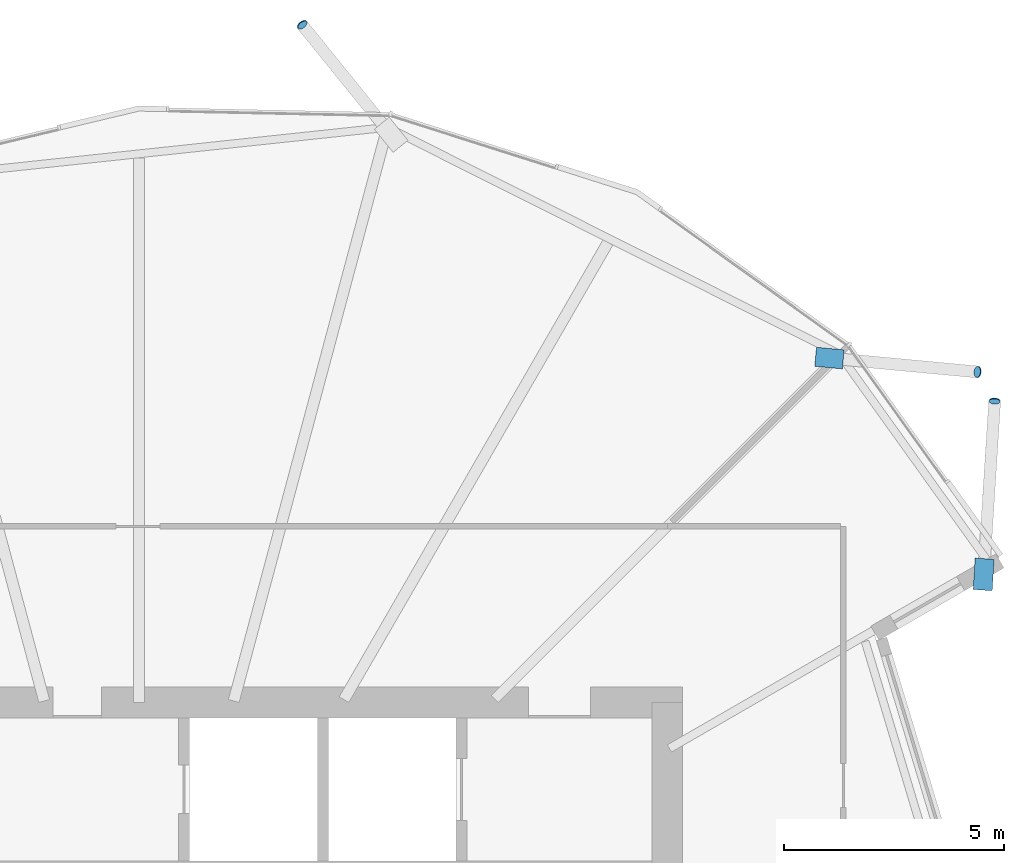
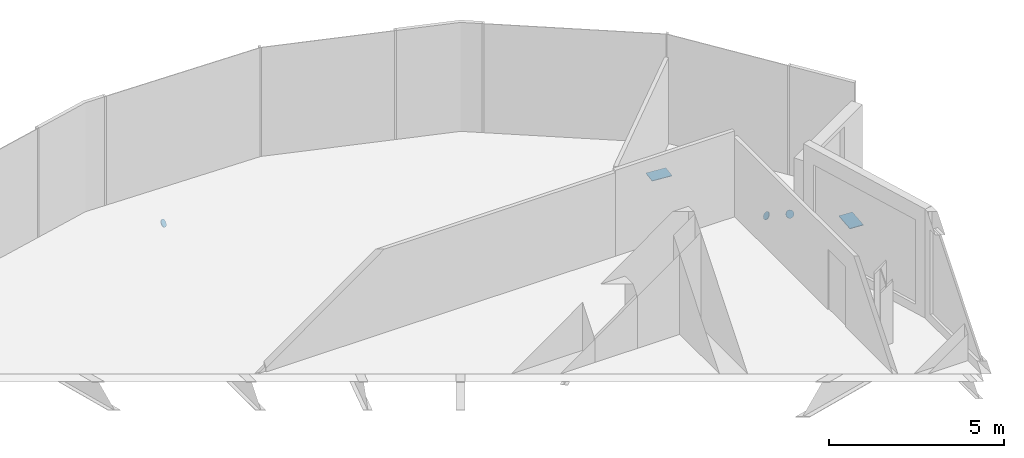
# One storey, part 35 of 39: 5 discrete accessories.
"""IFC4 building model written with IfcOpenShell, lengths in metres."""

from ifc_helpers import new_model, si_unit, direction, frame, origin, origin_2d, place, context, subcontext, project, spatial, polyline, rectangle, circle, outline, extrude, material, material_profile, profile_set, type_object, element, save


model = new_model("IFC4")

# Units and contexts
model_context = context("Model", 3, precision=1e-05, world=origin(), true_north=direction((0.0, 1.0)))
body_context = subcontext(model_context, "Body", "Model", "MODEL_VIEW")
ifc_project = project(units=[si_unit("LENGTHUNIT", "METRE"), si_unit("AREAUNIT", "SQUARE_METRE"), si_unit("VOLUMEUNIT", "CUBIC_METRE"), si_unit("PLANEANGLEUNIT", "RADIAN"), si_unit("MASSUNIT", "GRAM", prefix="KILO")], contexts=[model_context])

# Site, building, storey
site_placement = place(None, origin())
site = spatial("IfcSite", under=ifc_project, at=site_placement, CompositionType="ELEMENT")
building_placement = place(site_placement, origin())
building = spatial("IfcBuilding", under=site, at=building_placement, Name="Rimbun Link Towers", CompositionType="ELEMENT")
storey_placement = place(building_placement, frame((0.0, 0.0, 139.199951171875)))
storey = spatial("IfcBuildingStorey", under=building, at=storey_placement, Name="L33", CompositionType="ELEMENT", Elevation=139.199951171875)

# Discrete accessories
ifc_material_1 = material(Name="Steel S355J2H", Category="steel")
ifc_material_profile_1 = material_profile(ifc_material_1, circle(Radius=0.1240234375, at=origin_2d()), Name="PL D248")
ifc_profile_set_1 = profile_set([ifc_material_profile_1], Name="Steel S355J2H")
discrete_accessory_type_1 = type_object("IfcDiscreteAccessoryType", Name="Link foot sealing plate D248X20", PredefinedType="BRACKET", material=ifc_profile_set_1)
for number, where, z_axis, x_axis, name in (
    (1, (50.788818359375, 15.508056640625, -3.208251953125), (0.806559132617, -0.073323557511, -0.586588460085), (0.090535746043, 0.995893206468, 0.0), "Link foot sealing plate T2 L33 00"),
    (2, (35.46142578125, 23.38525390625, -2.883544921875), (-0.537505444318, 0.659665772572, -0.525289411492), (-0.775234985517, -0.631672951162, 0.0), "Link foot sealing plate T2 L33 02"),
    (3, (51.185302734375, 14.836669921875, -2.88818359375), (0.049025351129, 0.870199982541, -0.490253511291), (-0.998416781117, 0.056248832739, 0.0), "Link foot sealing plate T2 L33 23"),
):
    element("IfcDiscreteAccessory", number, at=place(storey_placement, frame(where, z_axis=z_axis, x_axis=x_axis)), inside=storey, type_object=discrete_accessory_type_1, Name=name, PredefinedType="BRACKET", context=body_context, shape_type="SweptSolid", body=[
        extrude(circle(Radius=0.1240234375, at=origin_2d()), origin(), (0.0, 0.0, 1.0), 0.02001953125),
    ])
ifc_material_2 = material(Name="Steel S355J2H", Category="steel")
ifc_material_profile_2 = material_profile(ifc_material_2, rectangle(XDim=0.43310546875, YDim=0.43310546875, at=origin_2d()), Name="PL 433x433")
ifc_profile_set_2 = profile_set([ifc_material_profile_2], Name="Steel S355J2H")
discrete_accessory_type_2 = type_object("IfcDiscreteAccessoryType", Name="Link head end plate 433X20", PredefinedType="BRACKET", material=ifc_profile_set_2)
discrete_accessory_1_placement = place(storey_placement, frame((0.0, 0.0, -0.802490234375)))
element("IfcDiscreteAccessory", 4, at=discrete_accessory_1_placement, inside=storey, type_object=discrete_accessory_type_2, Name="Link head end plate T2 L33 00", PredefinedType="BRACKET", context=body_context, shape_type="SweptSolid", body=[
    extrude(outline(polyline([(47.0986328125, 15.635986328125), (47.725830078125, 15.5771484375), (47.766357421875, 16.00830078125), (47.138916015625, 16.06689453125), (47.0986328125, 15.635986328125)])), origin(), (0.0, 0.0, 1.0), 0.02001953125),
])
discrete_accessory_2_placement = place(storey_placement, frame((0.0, 0.0, -0.6533203125)))
element("IfcDiscreteAccessory", 5, at=discrete_accessory_2_placement, inside=storey, type_object=discrete_accessory_type_2, Name="Link head end plate T2 L33 23", PredefinedType="BRACKET", context=body_context, shape_type="SweptSolid", body=[
    extrude(outline(polyline([(51.12841796875, 10.538818359375), (51.173583984375, 11.250244140625), (50.74169921875, 11.27783203125), (50.6962890625, 10.56640625), (51.12841796875, 10.538818359375)])), origin(), (0.0, 0.0, 1.0), 0.02001953125),
])

save(model, "model.ifc")
